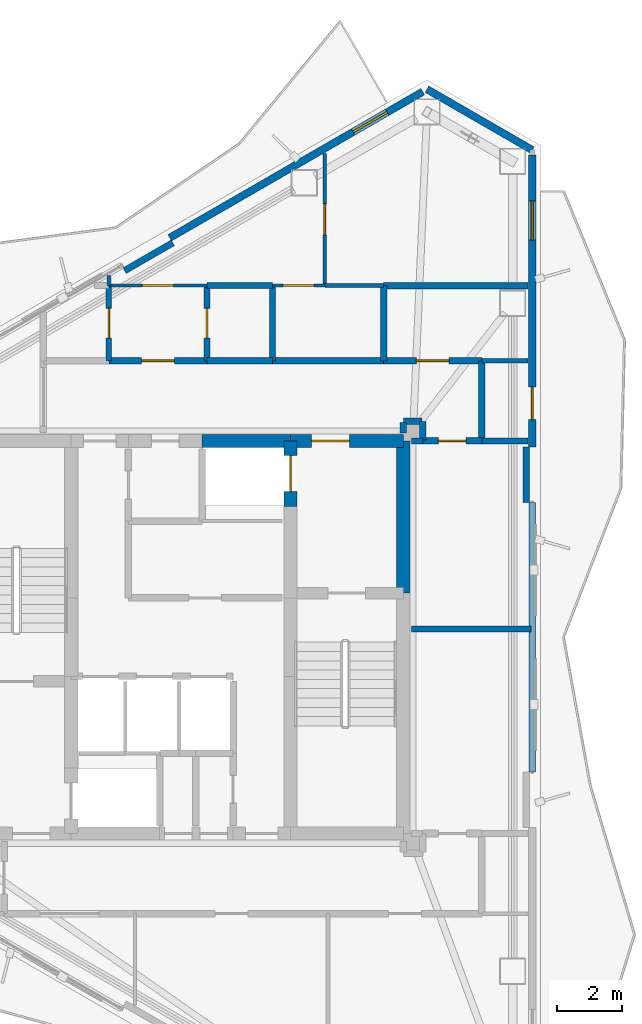
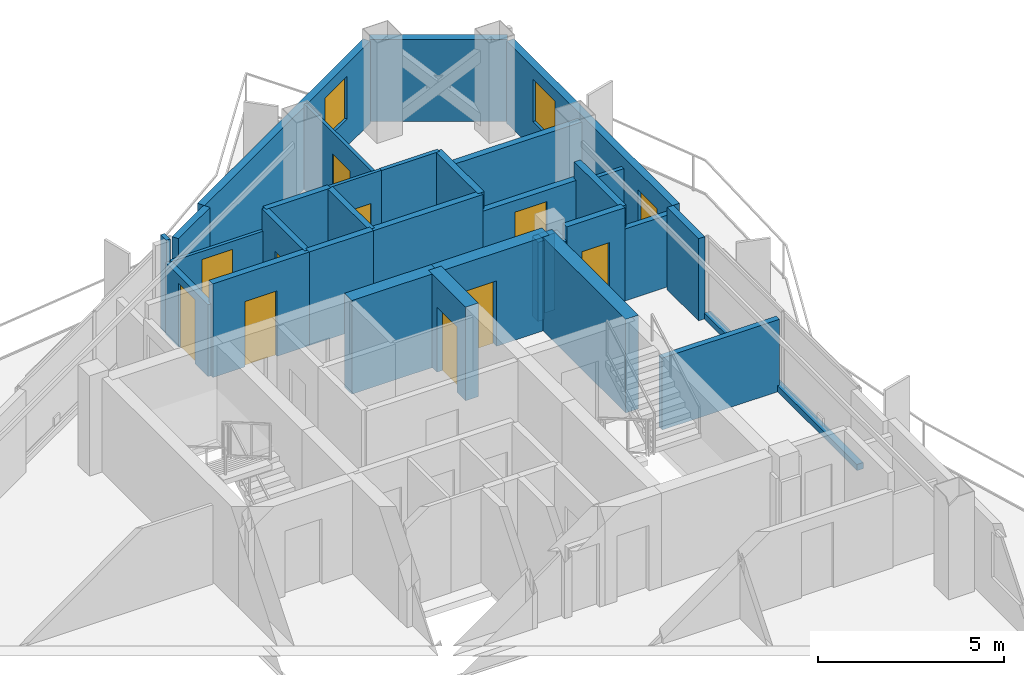
# One storey, part 16 of 18: 34 walls, 11 doors, 2 windows, 13 openings.
"""IFC4 building model written with IfcOpenShell, lengths in metres."""

from ifc_helpers import new_model, si_unit, direction, frame, frame_2d, origin, place, context, subcontext, project, spatial, rectangle, extrude, material, layer, layer_set, type_object, element, fill, save


model = new_model("IFC4")

# Units and contexts
model_context = context("Model", 3, precision=1e-05, world=origin(), true_north=direction((0.0, 1.0)))
body_context = subcontext(model_context, "Body", "Model", "MODEL_VIEW")
ifc_project = project(units=[si_unit("LENGTHUNIT", "METRE"), si_unit("AREAUNIT", "SQUARE_METRE"), si_unit("VOLUMEUNIT", "CUBIC_METRE"), si_unit("PLANEANGLEUNIT", "RADIAN"), si_unit("MASSUNIT", "GRAM", prefix="KILO")], contexts=[model_context])

# Site, building, storey
site_placement = place(None, origin())
site = spatial("IfcSite", under=ifc_project, at=site_placement, CompositionType="ELEMENT")
building_placement = place(site_placement, origin())
building = spatial("IfcBuilding", under=site, at=building_placement, Name="Mersakhor Tower and Convention Hall", CompositionType="ELEMENT")
storey_placement = place(building_placement, frame((0.0, 0.0, 243.0)))
storey = spatial("IfcBuildingStorey", under=building, at=storey_placement, Name="L68", CompositionType="ELEMENT", Elevation=243.0)

# Wall
ifc_material_1 = material(Name="Precast concrete C40/50", Category="concrete")
ifc_layer_1 = layer(ifc_material_1, 0.22509765625)
ifc_layer_set_1 = layer_set([ifc_layer_1], Name="Precast concrete C40/50")
wall_type_1 = type_object("IfcWallType", Name="WL-EXT-225", PredefinedType="SOLIDWALL", material=ifc_layer_set_1)
wall_1_placement = place(storey_placement, frame((36.525146484375, 43.49951171875, 0.0), z_axis=(0.0, 0.0, 1.0), x_axis=(0.866038962515, -0.499976514854, 0.0)))
element("IfcWall", 1, at=wall_1_placement, inside=storey, type_object=wall_type_1, Name="L68 Chamfer Braced Spandrel Wall C1", PredefinedType="SOLIDWALL", context=body_context, shape_type="SweptSolid", body=[
    extrude(rectangle(XDim=3.715576171875, YDim=0.22509765625, at=frame_2d((1.85791015625, 0.0))), origin(), (0.0, 0.0, 1.0), 2.699951171875),
])

# Wall, opening, window
wall_2_placement = place(storey_placement, frame((28.66357421875, 38.96044921875, 0.0), z_axis=(0.0, 0.0, 1.0), x_axis=(0.866026655105, 0.499997832642, 0.0)))
wall_2 = element("IfcWall", 2, at=wall_2_placement, inside=storey, type_object=wall_type_1, Name="L68 Exterior Facade Wall F1-B3", PredefinedType="SOLIDWALL", context=body_context, shape_type="SweptSolid", body=[
    extrude(rectangle(XDim=8.927734375, YDim=0.22509765625, at=frame_2d((4.4638671875, 0.0))), origin(), (0.0, 0.0, 1.0), 2.699951171875),
])
opening_1_placement = place(wall_2_placement, frame((6.471923828125, 0.0, 0.89990234375)))
opening_1 = element("IfcOpeningElement", 3, at=opening_1_placement, cuts=wall_2, Name="Opening W-01", PredefinedType="OPENING", context=body_context, shape_type="SweptSolid", body=[
    extrude(rectangle(XDim=1.199951171875, YDim=1.39990234375, at=frame_2d((0.60009765625, 0.699951171875))), frame((0.0, 0.12255859375, 0.0), z_axis=(0.0, -1.0, 0.0), x_axis=(1.0, 0.0, 0.0)), (0.0, 0.0, 1.0), 0.2451171875),
])
ifc_material_2 = material(Name="Dark solar low-E glazed aluminium window", Category="aluminium")
window_type = type_object("IfcWindowType", Name="WN-RES-120x150", PartitioningType="SINGLE_PANEL", PredefinedType="WINDOW", material=ifc_material_2)
window_1_placement = place(opening_1_placement, origin())
window_1 = element("IfcWindow", 4, at=window_1_placement, inside=storey, type_object=window_type, Name="L68 Bedroom Facade Window F1-B3-1", OverallHeight=1.39990234375, OverallWidth=1.199951171875, PartitioningType="SINGLE_PANEL", PredefinedType="WINDOW", context=body_context, shape_type="SweptSolid", body=[
    extrude(rectangle(XDim=1.199951171875, YDim=1.39990234375, at=frame_2d((0.60009765625, 0.699951171875))), frame((0.0, 0.030029296875, 0.0), z_axis=(0.0, -1.0, 0.0), x_axis=(1.0, 0.0, 0.0)), (0.0, 0.0, 1.0), 0.06005859375),
])
fill(opening_1, window_1)

# Wall, openings, door, window
wall_3_placement = place(storey_placement, frame((39.742919921875, 41.49169921875, 0.0), z_axis=(0.0, 0.0, 1.0), x_axis=(0.0, -1.0, 0.0)))
wall_3 = element("IfcWall", 5, at=wall_3_placement, inside=storey, type_object=wall_type_1, Name="L68 Exterior Facade Wall F2-B1", PredefinedType="SOLIDWALL", context=body_context, shape_type="SweptSolid", body=[
    extrude(rectangle(XDim=8.927734375, YDim=0.22509765625, at=frame_2d((4.4638671875, 0.0))), origin(), (0.0, 0.0, 1.0), 2.699951171875),
])
opening_2_placement = place(wall_3_placement, frame((7.090087890625, 0.0, 0.0)))
opening_2 = element("IfcOpeningElement", 6, at=opening_2_placement, cuts=wall_3, Name="Opening BD-01", PredefinedType="OPENING", context=body_context, shape_type="SweptSolid", body=[
    extrude(rectangle(XDim=1.0, YDim=2.10009765625, at=frame_2d((0.5, 1.050048828125))), frame((0.0, 0.12255859375, 0.0), z_axis=(0.0, -1.0, 0.0), x_axis=(1.0, 0.0, 0.0)), (0.0, 0.0, 1.0), 0.2451171875),
])
opening_3_placement = place(wall_3_placement, frame((1.406005859375, 0.0, 0.89990234375)))
opening_3 = element("IfcOpeningElement", 7, at=opening_3_placement, cuts=wall_3, Name="Opening W-01", PredefinedType="OPENING", context=body_context, shape_type="SweptSolid", body=[
    extrude(rectangle(XDim=1.199951171875, YDim=1.39990234375, at=frame_2d((0.60009765625, 0.699951171875))), frame((0.0, 0.12255859375, 0.0), z_axis=(0.0, -1.0, 0.0), x_axis=(1.0, 0.0, 0.0)), (0.0, 0.0, 1.0), 0.2451171875),
])
ifc_material_3 = material(Name="Thermally broken dark aluminium and safety glass", Category="aluminium")
door_type_1 = type_object("IfcDoorType", Name="DR-BAL-100x210", OperationType="NOTDEFINED", PredefinedType="DOOR", material=ifc_material_3)
door_1_placement = place(opening_2_placement, origin())
door_1 = element("IfcDoor", 8, at=door_1_placement, inside=storey, type_object=door_type_1, Name="L68 Balcony Terrace Door F2-B1", OperationType="SINGLE_SWING_LEFT", OverallHeight=2.10009765625, OverallWidth=1.0, PredefinedType="DOOR", context=body_context, shape_type="SweptSolid", body=[
    extrude(rectangle(XDim=1.0, YDim=2.10009765625, at=frame_2d((0.5, 1.050048828125))), frame((0.0, 0.02490234375, 0.0), z_axis=(0.0, -1.0, 0.0), x_axis=(1.0, 0.0, 0.0)), (0.0, 0.0, 1.0), 0.050048828125),
])
fill(opening_2, door_1)
window_2_placement = place(opening_3_placement, origin())
window_2 = element("IfcWindow", 9, at=window_2_placement, inside=storey, type_object=window_type, Name="L68 Bedroom Facade Window F2-B1-1", OverallHeight=1.39990234375, OverallWidth=1.199951171875, PartitioningType="SINGLE_PANEL", PredefinedType="WINDOW", context=body_context, shape_type="SweptSolid", body=[
    extrude(rectangle(XDim=1.199951171875, YDim=1.39990234375, at=frame_2d((0.60009765625, 0.699951171875))), frame((0.0, 0.030029296875, 0.0), z_axis=(0.0, -1.0, 0.0), x_axis=(1.0, 0.0, 0.0)), (0.0, 0.0, 1.0), 0.06005859375),
])
fill(opening_3, window_2)

# Walls
ifc_material_4 = material(Name="Precast concrete C40/50", Category="concrete")
ifc_layer_2 = layer(ifc_material_4, 0.199951171875)
ifc_layer_set_2 = layer_set([ifc_layer_2], Name="Precast concrete C40/50")
wall_type_2 = type_object("IfcWallType", Name="WL-PAR-200", PredefinedType="PARAPET", material=ifc_layer_set_2)
wall_4_placement = place(storey_placement, frame((27.28125, 37.95458984375, 0.0), z_axis=(0.0, 0.0, 1.0), x_axis=(0.866025371046, 0.500000056704, 0.0)))
element("IfcWall", 10, at=wall_4_placement, inside=storey, type_object=wall_type_2, Name="L68 Column Pier Cladding Wall F1-C2", PredefinedType="PARAPET", context=body_context, shape_type="SweptSolid", body=[
    extrude(rectangle(XDim=1.7001953125, YDim=0.199951171875, at=frame_2d((0.85009765625, 0.0))), origin(), (0.0, 0.0, 1.0), 2.699951171875),
])
wall_5_placement = place(storey_placement, frame((39.742919921875, 30.864013671875, 0.0), z_axis=(0.0, 0.0, 1.0), x_axis=(0.0, -1.0, 0.0)))
element("IfcWall", 11, at=wall_5_placement, inside=storey, type_object=wall_type_2, Name="L68 Curtain Wall Upstand Sill F2-B2", PredefinedType="PARAPET", context=body_context, shape_type="SweptSolid", body=[
    extrude(rectangle(XDim=8.22802734375, YDim=0.199951171875, at=frame_2d((4.114013671875, 0.0))), origin(), (0.0, 0.0, 1.0), 0.199951171875),
])
wall_6_placement = place(storey_placement, frame((39.562744140625, 32.56396484375, 0.0), z_axis=(0.0, 0.0, 1.0), x_axis=(0.0, -1.0, 0.0)))
element("IfcWall", 12, at=wall_6_placement, inside=storey, type_object=wall_type_2, Name="L68 Column Pier Cladding Wall F2-C1", PredefinedType="PARAPET", context=body_context, shape_type="SweptSolid", body=[
    extrude(rectangle(XDim=1.699951171875, YDim=0.199951171875, at=frame_2d((0.85009765625, 0.0))), origin(), (0.0, 0.0, 1.0), 2.699951171875),
])

# Wall, opening, door
ifc_material_5 = material(Name="Moisture-resistant acoustic drywall studwork", Category="other")
ifc_layer_3 = layer(ifc_material_5, 0.175048828125)
ifc_layer_set_3 = layer_set([ifc_layer_3], Name="Moisture-resistant acoustic drywall studwork")
wall_type_3 = type_object("IfcWallType", Name="WL-PLM-175", PredefinedType="PLUMBINGWALL", material=ifc_layer_set_3)
wall_7_placement = place(storey_placement, frame((29.800048828125, 37.5, 0.0), z_axis=(0.0, 0.0, 1.0), x_axis=(0.0, -1.0, 0.0)))
wall_7 = element("IfcWall", 13, at=wall_7_placement, inside=storey, type_object=wall_type_3, Name="L68 Interior Partition Wall P-037", PredefinedType="PLUMBINGWALL", context=body_context, shape_type="SweptSolid", body=[
    extrude(rectangle(XDim=2.300048828125, YDim=0.175048828125, at=frame_2d((1.14990234375, 0.0))), origin(), (0.0, 0.0, 1.0), 3.080078125),
])
opening_4_placement = place(wall_7_placement, frame((0.699951171875, 0.0, 0.0)))
opening_4 = element("IfcOpeningElement", 14, at=opening_4_placement, cuts=wall_7, Name="Opening WD-01", PredefinedType="OPENING", context=body_context, shape_type="SweptSolid", body=[
    extrude(rectangle(XDim=0.89990234375, YDim=2.10009765625, at=frame_2d((0.449951171875, 1.050048828125))), frame((0.0, 0.097412109375, 0.0), z_axis=(0.0, -1.0, 0.0), x_axis=(1.0, 0.0, 0.0)), (0.0, 0.0, 1.0), 0.195068359375),
])
ifc_material_6 = material(Name="Solid-core hardwood leaf in painted steel frame", Category="steel")
door_type_2 = type_object("IfcDoorType", Name="DR-INT-WET-090x210", OperationType="NOTDEFINED", PredefinedType="DOOR", material=ifc_material_6)
door_2_placement = place(opening_4_placement, origin())
door_2 = element("IfcDoor", 15, at=door_2_placement, inside=storey, type_object=door_type_2, Name="L68 L68 Flat N1 Apartment Hall to L68 Flat N1 En-Suite Shower Room Door", OperationType="SINGLE_SWING_RIGHT", OverallHeight=2.10009765625, OverallWidth=0.89990234375, PredefinedType="DOOR", context=body_context, shape_type="SweptSolid", body=[
    extrude(rectangle(XDim=0.89990234375, YDim=2.10009765625, at=frame_2d((0.449951171875, 1.050048828125))), frame((0.0, 0.02490234375, 0.0), z_axis=(0.0, -1.0, 0.0), x_axis=(1.0, 0.0, 0.0)), (0.0, 0.0, 1.0), 0.050048828125),
])
fill(opening_4, door_2)

wall_8_placement = place(storey_placement, frame((26.800048828125, 35.199951171875, 0.0), z_axis=(0.0, 0.0, 1.0), x_axis=(0.0, 1.0, 0.0)))
wall_8 = element("IfcWall", 16, at=wall_8_placement, inside=storey, type_object=wall_type_3, Name="L68 Interior Partition Wall P-038", PredefinedType="PLUMBINGWALL", context=body_context, shape_type="SweptSolid", body=[
    extrude(rectangle(XDim=2.300048828125, YDim=0.175048828125, at=frame_2d((1.14990234375, 0.0))), origin(), (0.0, 0.0, 1.0), 2.364990234375),
])
opening_5_placement = place(wall_8_placement, frame((0.699951171875, 0.0, 0.0)))
opening_5 = element("IfcOpeningElement", 17, at=opening_5_placement, cuts=wall_8, Name="Opening WD-01", PredefinedType="OPENING", context=body_context, shape_type="SweptSolid", body=[
    extrude(rectangle(XDim=0.89990234375, YDim=2.10009765625, at=frame_2d((0.449951171875, 1.050048828125))), frame((0.0, 0.097412109375, 0.0), z_axis=(0.0, -1.0, 0.0), x_axis=(1.0, 0.0, 0.0)), (0.0, 0.0, 1.0), 0.195068359375),
])
door_3_placement = place(opening_5_placement, origin())
door_3 = element("IfcDoor", 18, at=door_3_placement, inside=storey, type_object=door_type_2, Name="L68 L68 Flat N1 Apartment Hall to L68 Flat N1 Bathroom Door", OperationType="SINGLE_SWING_LEFT", OverallHeight=2.10009765625, OverallWidth=0.89990234375, PredefinedType="DOOR", context=body_context, shape_type="SweptSolid", body=[
    extrude(rectangle(XDim=0.89990234375, YDim=2.10009765625, at=frame_2d((0.449951171875, 1.050048828125))), frame((0.0, 0.02490234375, 0.0), z_axis=(0.0, -1.0, 0.0), x_axis=(1.0, 0.0, 0.0)), (0.0, 0.0, 1.0), 0.050048828125),
])
fill(opening_5, door_3)

# Walls
wall_9_placement = place(storey_placement, frame((36.050048828125, 32.75, 0.0), z_axis=(0.0, 0.0, 1.0), x_axis=(1.0, 0.0, 0.0)))
element("IfcWall", 19, at=wall_9_placement, inside=storey, type_object=wall_type_3, Name="L68 Interior Partition Wall P-039", PredefinedType="PLUMBINGWALL", context=body_context, shape_type="SweptSolid", body=[
    extrude(rectangle(XDim=0.349853515625, YDim=0.175048828125, at=frame_2d((0.1748046875, 0.0))), origin(), (0.0, 0.0, 1.0), 2.60498046875),
])
wall_10_placement = place(storey_placement, frame((38.199951171875, 32.75, 0.0), z_axis=(0.0, 0.0, 1.0), x_axis=(1.0, 0.0, 0.0)))
element("IfcWall", 20, at=wall_10_placement, inside=storey, type_object=wall_type_3, Name="L68 Interior Partition Wall P-040", PredefinedType="PLUMBINGWALL", context=body_context, shape_type="SweptSolid", body=[
    extrude(rectangle(XDim=1.40625, YDim=0.175048828125, at=frame_2d((0.703125, 0.0))), origin(), (0.0, 0.0, 1.0), 2.364990234375),
])
wall_11_placement = place(storey_placement, frame((39.702880859375, 27.0, 0.0), z_axis=(0.0, 0.0, 1.0), x_axis=(-1.0, 0.0, 0.0)))
element("IfcWall", 21, at=wall_11_placement, inside=storey, type_object=wall_type_3, Name="L68 Interior Partition Wall P-041", PredefinedType="PLUMBINGWALL", context=body_context, shape_type="SweptSolid", body=[
    extrude(rectangle(XDim=3.65283203125, YDim=0.175048828125, at=frame_2d((1.826416015625, 0.0))), origin(), (0.0, 0.0, 1.0), 2.364990234375),
])
wall_12_placement = place(storey_placement, frame((29.800048828125, 37.5, 0.0), z_axis=(0.0, 0.0, 1.0), x_axis=(1.0, 0.0, 0.0)))
element("IfcWall", 22, at=wall_12_placement, inside=storey, type_object=wall_type_3, Name="L68 Interior Partition Wall P-046", PredefinedType="PLUMBINGWALL", context=body_context, shape_type="SweptSolid", body=[
    extrude(rectangle(XDim=2.0, YDim=0.175048828125, at=frame_2d((1.0, 0.0))), origin(), (0.0, 0.0, 1.0), 3.080078125),
])
wall_13_placement = place(storey_placement, frame((31.800048828125, 37.5, 0.0), z_axis=(0.0, 0.0, 1.0), x_axis=(0.0, -1.0, 0.0)))
element("IfcWall", 23, at=wall_13_placement, inside=storey, type_object=wall_type_3, Name="L68 Interior Partition Wall P-047", PredefinedType="PLUMBINGWALL", context=body_context, shape_type="SweptSolid", body=[
    extrude(rectangle(XDim=2.300048828125, YDim=0.175048828125, at=frame_2d((1.14990234375, 0.0))), origin(), (0.0, 0.0, 1.0), 3.080078125),
])

# Wall, opening, door
ifc_material_7 = material(Name="Lightweight gypsum partition", Category="other")
ifc_layer_4 = layer(ifc_material_7, 0.10009765625)
ifc_layer_set_4 = layer_set([ifc_layer_4], Name="Lightweight gypsum partition")
wall_type_4 = type_object("IfcWallType", Name="WL-PRT-100", PredefinedType="PARTITIONING", material=ifc_layer_set_4)
wall_14_placement = place(storey_placement, frame((26.800048828125, 37.5, 0.0), z_axis=(0.0, 0.0, 1.0), x_axis=(1.0, 0.0, 0.0)))
wall_14 = element("IfcWall", 24, at=wall_14_placement, inside=storey, type_object=wall_type_4, Name="L68 Interior Partition Wall P-036", PredefinedType="PARTITIONING", context=body_context, shape_type="SweptSolid", body=[
    extrude(rectangle(XDim=3.0, YDim=0.10009765625, at=frame_2d((1.5, 0.0))), origin(), (0.0, 0.0, 1.0), 2.364990234375),
])
opening_6_placement = place(wall_14_placement, frame((1.02490234375, 0.0, 0.0)))
opening_6 = element("IfcOpeningElement", 25, at=opening_6_placement, cuts=wall_14, Name="Opening RD-01", PredefinedType="OPENING", context=body_context, shape_type="SweptSolid", body=[
    extrude(rectangle(XDim=0.949951171875, YDim=2.10009765625, at=frame_2d((0.47509765625, 1.050048828125))), frame((0.0, 0.06005859375, 0.0), z_axis=(0.0, -1.0, 0.0), x_axis=(1.0, 0.0, 0.0)), (0.0, 0.0, 1.0), 0.1201171875),
])
ifc_material_8 = material(Name="Solid-core hardwood leaf in painted steel frame", Category="steel")
door_type_3 = type_object("IfcDoorType", Name="DR-INT-RM-095x210", OperationType="NOTDEFINED", PredefinedType="DOOR", material=ifc_material_8)
door_4_placement = place(opening_6_placement, origin())
door_4 = element("IfcDoor", 26, at=door_4_placement, inside=storey, type_object=door_type_3, Name="L68 L68 Flat N1 Apartment Hall to L68 Flat N1 Living and Dining Room Door", OperationType="SINGLE_SWING_LEFT", OverallHeight=2.10009765625, OverallWidth=0.949951171875, PredefinedType="DOOR", context=body_context, shape_type="SweptSolid", body=[
    extrude(rectangle(XDim=0.949951171875, YDim=2.10009765625, at=frame_2d((0.47509765625, 1.050048828125))), frame((0.0, 0.02490234375, 0.0), z_axis=(0.0, -1.0, 0.0), x_axis=(1.0, 0.0, 0.0)), (0.0, 0.0, 1.0), 0.050048828125),
])
fill(opening_6, door_4)

wall_15_placement = place(storey_placement, frame((31.800048828125, 37.5, 0.0), z_axis=(0.0, 0.0, 1.0), x_axis=(1.0, 0.0, 0.0)))
wall_15 = element("IfcWall", 27, at=wall_15_placement, inside=storey, type_object=wall_type_4, Name="L68 Interior Partition Wall P-048", PredefinedType="PARTITIONING", context=body_context, shape_type="SweptSolid", body=[
    extrude(rectangle(XDim=1.599853515625, YDim=0.10009765625, at=frame_2d((0.7998046875, 0.0))), origin(), (0.0, 0.0, 1.0), 3.080078125),
])
opening_7_placement = place(wall_15_placement, frame((0.324951171875, 0.0, 0.0)))
opening_7 = element("IfcOpeningElement", 28, at=opening_7_placement, cuts=wall_15, Name="Opening RD-01", PredefinedType="OPENING", context=body_context, shape_type="SweptSolid", body=[
    extrude(rectangle(XDim=0.949951171875, YDim=2.10009765625, at=frame_2d((0.47509765625, 1.050048828125))), frame((0.0, 0.06005859375, 0.0), z_axis=(0.0, -1.0, 0.0), x_axis=(1.0, 0.0, 0.0)), (0.0, 0.0, 1.0), 0.1201171875),
])
door_5_placement = place(opening_7_placement, origin())
door_5 = element("IfcDoor", 29, at=door_5_placement, inside=storey, type_object=door_type_3, Name="L68 L68 Flat N1 Kitchen to L68 Flat N1 Living and Dining Room Door", OperationType="SINGLE_SWING_RIGHT", OverallHeight=2.10009765625, OverallWidth=0.949951171875, PredefinedType="DOOR", context=body_context, shape_type="SweptSolid", body=[
    extrude(rectangle(XDim=0.949951171875, YDim=2.10009765625, at=frame_2d((0.47509765625, 1.050048828125))), frame((0.0, 0.02490234375, 0.0), z_axis=(0.0, -1.0, 0.0), x_axis=(1.0, 0.0, 0.0)), (0.0, 0.0, 1.0), 0.050048828125),
])
fill(opening_7, door_5)

wall_16_placement = place(storey_placement, frame((33.39990234375, 41.537353515625, 0.0), z_axis=(0.0, 0.0, 1.0), x_axis=(0.0, -1.0, 0.0)))
wall_16 = element("IfcWall", 30, at=wall_16_placement, inside=storey, type_object=wall_type_4, Name="L68 Interior Partition Wall P-064", PredefinedType="PARTITIONING", context=body_context, shape_type="SweptSolid", body=[
    extrude(rectangle(XDim=4.037353515625, YDim=0.10009765625, at=frame_2d((2.0185546875, 0.0))), origin(), (0.0, 0.0, 1.0), 2.8046875),
])
opening_8_placement = place(wall_16_placement, frame((1.543701171875, 0.0, 0.0)))
opening_8 = element("IfcOpeningElement", 31, at=opening_8_placement, cuts=wall_16, Name="Opening RD-01", PredefinedType="OPENING", context=body_context, shape_type="SweptSolid", body=[
    extrude(rectangle(XDim=0.949951171875, YDim=2.10009765625, at=frame_2d((0.47509765625, 1.050048828125))), frame((0.0, 0.06005859375, 0.0), z_axis=(0.0, -1.0, 0.0), x_axis=(1.0, 0.0, 0.0)), (0.0, 0.0, 1.0), 0.1201171875),
])
door_6_placement = place(opening_8_placement, origin())
door_6 = element("IfcDoor", 32, at=door_6_placement, inside=storey, type_object=door_type_3, Name="L68 L68 Flat N1 Living and Dining Room to L68 Flat N1 Master Bedroom Door", OperationType="SINGLE_SWING_LEFT", OverallHeight=2.10009765625, OverallWidth=0.949951171875, PredefinedType="DOOR", context=body_context, shape_type="SweptSolid", body=[
    extrude(rectangle(XDim=0.949951171875, YDim=2.10009765625, at=frame_2d((0.47509765625, 1.050048828125))), frame((0.0, 0.02490234375, 0.0), z_axis=(0.0, -1.0, 0.0), x_axis=(1.0, 0.0, 0.0)), (0.0, 0.0, 1.0), 0.050048828125),
])
fill(opening_8, door_6)

# Walls
ifc_material_9 = material(Name="Gypsum board acoustic partition", Category="other")
ifc_layer_5 = layer(ifc_material_9, 0.125)
ifc_layer_set_5 = layer_set([ifc_layer_5], Name="Gypsum board acoustic partition")
wall_type_5 = type_object("IfcWallType", Name="WL-PRT-125", PredefinedType="PARTITIONING", material=ifc_layer_set_5)
wall_17_placement = place(storey_placement, frame((33.39990234375, 37.5, 0.0), z_axis=(0.0, 0.0, 1.0), x_axis=(1.0, 0.0, 0.0)))
element("IfcWall", 33, at=wall_17_placement, inside=storey, type_object=wall_type_5, Name="L68 Interior Partition Wall P-049", PredefinedType="PARTITIONING", context=body_context, shape_type="SweptSolid", body=[
    extrude(rectangle(XDim=1.800048828125, YDim=0.125, at=frame_2d((0.89990234375, 0.0))), origin(), (0.0, 0.0, 1.0), 3.080078125),
])
wall_18_placement = place(storey_placement, frame((39.606201171875, 35.199951171875, 0.0), z_axis=(0.0, 0.0, 1.0), x_axis=(-1.0, 0.0, 0.0)))
element("IfcWall", 34, at=wall_18_placement, inside=storey, type_object=wall_type_5, Name="L68 Interior Partition Wall P-053", PredefinedType="PARTITIONING", context=body_context, shape_type="SweptSolid", body=[
    extrude(rectangle(XDim=1.40625, YDim=0.125, at=frame_2d((0.703125, 0.0))), origin(), (0.0, 0.0, 1.0), 2.364990234375),
])
wall_19_placement = place(storey_placement, frame((26.800048828125, 37.5, 0.0), z_axis=(0.0, 0.0, 1.0), x_axis=(0.0, 1.0, 0.0)))
element("IfcWall", 35, at=wall_19_placement, inside=storey, type_object=wall_type_5, Name="L68 Interior Partition Wall P-063", PredefinedType="PARTITIONING", context=body_context, shape_type="SweptSolid", body=[
    extrude(rectangle(XDim=0.308349609375, YDim=0.125, at=frame_2d((0.154296875, 0.0))), origin(), (0.0, 0.0, 1.0), 3.080078125),
])

# Wall, opening, door
ifc_material_10 = material(Name="Acoustic concrete blockwork and gypsum board", Category="masonry")
ifc_layer_6 = layer(ifc_material_10, 0.199951171875)
ifc_layer_set_6 = layer_set([ifc_layer_6], Name="Acoustic concrete blockwork and gypsum board")
wall_type_6 = type_object("IfcWallType", Name="WL-PRT-200", PredefinedType="PARTITIONING", material=ifc_layer_set_6)
wall_20_placement = place(storey_placement, frame((26.800048828125, 35.199951171875, 0.0), z_axis=(0.0, 0.0, 1.0), x_axis=(1.0, 0.0, 0.0)))
wall_20 = element("IfcWall", 36, at=wall_20_placement, inside=storey, type_object=wall_type_6, Name="L68 Interior Partition Wall P-017", PredefinedType="PARTITIONING", context=body_context, shape_type="SweptSolid", body=[
    extrude(rectangle(XDim=3.0, YDim=0.199951171875, at=frame_2d((1.5, 0.0))), origin(), (0.0, 0.0, 1.0), 3.080078125),
])
opening_9_placement = place(wall_20_placement, frame((1.0, 0.0, 0.0)))
opening_9 = element("IfcOpeningElement", 37, at=opening_9_placement, cuts=wall_20, Name="Opening FD-01", PredefinedType="OPENING", context=body_context, shape_type="SweptSolid", body=[
    extrude(rectangle(XDim=1.0, YDim=2.14990234375, at=frame_2d((0.5, 1.074951171875))), frame((0.0, 0.10986328125, 0.0), z_axis=(0.0, -1.0, 0.0), x_axis=(1.0, 0.0, 0.0)), (0.0, 0.0, 1.0), 0.219970703125),
])
ifc_material_11 = material(Name="Fire-rated hardwood leaf and painted steel frame", Category="steel")
door_type_4 = type_object("IfcDoorType", Name="DR-INT-FLT-100x215", OperationType="NOTDEFINED", PredefinedType="DOOR", material=ifc_material_11)
door_7_placement = place(opening_9_placement, origin())
door_7 = element("IfcDoor", 38, at=door_7_placement, inside=storey, type_object=door_type_4, Name="L68 Apartment Entrance Door (Residential North Gallery Corridor to L68 Flat N1 Apartment Hall)", OperationType="SINGLE_SWING_LEFT", OverallHeight=2.14990234375, OverallWidth=1.0, PredefinedType="DOOR", context=body_context, shape_type="SweptSolid", body=[
    extrude(rectangle(XDim=1.0, YDim=2.14990234375, at=frame_2d((0.5, 1.074951171875))), frame((0.0, 0.02490234375, 0.0), z_axis=(0.0, -1.0, 0.0), x_axis=(1.0, 0.0, 0.0)), (0.0, 0.0, 1.0), 0.050048828125),
])
fill(opening_9, door_7)

# Walls
wall_21_placement = place(storey_placement, frame((29.800048828125, 35.199951171875, 0.0), z_axis=(0.0, 0.0, 1.0), x_axis=(1.0, 0.0, 0.0)))
element("IfcWall", 39, at=wall_21_placement, inside=storey, type_object=wall_type_6, Name="L68 Interior Partition Wall P-018", PredefinedType="PARTITIONING", context=body_context, shape_type="SweptSolid", body=[
    extrude(rectangle(XDim=2.0, YDim=0.199951171875, at=frame_2d((1.0, 0.0))), origin(), (0.0, 0.0, 1.0), 3.080078125),
])
wall_22_placement = place(storey_placement, frame((31.800048828125, 35.199951171875, 0.0), z_axis=(0.0, 0.0, 1.0), x_axis=(1.0, 0.0, 0.0)))
element("IfcWall", 40, at=wall_22_placement, inside=storey, type_object=wall_type_6, Name="L68 Interior Partition Wall P-019", PredefinedType="PARTITIONING", context=body_context, shape_type="SweptSolid", body=[
    extrude(rectangle(XDim=3.39990234375, YDim=0.199951171875, at=frame_2d((1.699951171875, 0.0))), origin(), (0.0, 0.0, 1.0), 3.080078125),
])

# Wall, opening, door
wall_23_placement = place(storey_placement, frame((35.199951171875, 35.199951171875, 0.0), z_axis=(0.0, 0.0, 1.0), x_axis=(1.0, 0.0, 0.0)))
wall_23 = element("IfcWall", 41, at=wall_23_placement, inside=storey, type_object=wall_type_6, Name="L68 Interior Partition Wall P-020", PredefinedType="PARTITIONING", context=body_context, shape_type="SweptSolid", body=[
    extrude(rectangle(XDim=3.0, YDim=0.199951171875, at=frame_2d((1.5, 0.0))), origin(), (0.0, 0.0, 1.0), 2.5283203125),
])
opening_10_placement = place(wall_23_placement, frame((1.0, 0.0, 0.0)))
opening_10 = element("IfcOpeningElement", 42, at=opening_10_placement, cuts=wall_23, Name="Opening FD-01", PredefinedType="OPENING", context=body_context, shape_type="SweptSolid", body=[
    extrude(rectangle(XDim=1.0, YDim=2.14990234375, at=frame_2d((0.5, 1.074951171875))), frame((0.0, 0.10986328125, 0.0), z_axis=(0.0, -1.0, 0.0), x_axis=(1.0, 0.0, 0.0)), (0.0, 0.0, 1.0), 0.219970703125),
])
door_8_placement = place(opening_10_placement, origin())
door_8 = element("IfcDoor", 43, at=door_8_placement, inside=storey, type_object=door_type_4, Name="L68 Residential North Gallery Corridor to L68 North-East Shared Tea Pantry Door", OperationType="SINGLE_SWING_RIGHT", OverallHeight=2.14990234375, OverallWidth=1.0, PredefinedType="DOOR", context=body_context, shape_type="SweptSolid", body=[
    extrude(rectangle(XDim=1.0, YDim=2.14990234375, at=frame_2d((0.5, 1.074951171875))), frame((0.0, 0.02490234375, 0.0), z_axis=(0.0, -1.0, 0.0), x_axis=(1.0, 0.0, 0.0)), (0.0, 0.0, 1.0), 0.050048828125),
])
fill(opening_10, door_8)

# Wall
wall_24_placement = place(storey_placement, frame((38.199951171875, 35.199951171875, 0.0), z_axis=(0.0, 0.0, 1.0), x_axis=(0.0, -1.0, 0.0)))
element("IfcWall", 44, at=wall_24_placement, inside=storey, type_object=wall_type_6, Name="L68 Interior Partition Wall P-021", PredefinedType="PARTITIONING", context=body_context, shape_type="SweptSolid", body=[
    extrude(rectangle(XDim=2.449951171875, YDim=0.199951171875, at=frame_2d((1.22509765625, 0.0))), origin(), (0.0, 0.0, 1.0), 3.080078125),
])

# Wall, opening, door
wall_25_placement = place(storey_placement, frame((38.199951171875, 32.75, 0.0), z_axis=(0.0, 0.0, 1.0), x_axis=(-1.0, 0.0, 0.0)))
wall_25 = element("IfcWall", 45, at=wall_25_placement, inside=storey, type_object=wall_type_6, Name="L68 Interior Partition Wall P-022", PredefinedType="PARTITIONING", context=body_context, shape_type="SweptSolid", body=[
    extrude(rectangle(XDim=1.800048828125, YDim=0.199951171875, at=frame_2d((0.89990234375, 0.0))), origin(), (0.0, 0.0, 1.0), 3.080078125),
])
opening_11_placement = place(wall_25_placement, frame((0.47509765625, 0.0, 0.0)))
opening_11 = element("IfcOpeningElement", 46, at=opening_11_placement, cuts=wall_25, Name="Opening SVD-01", PredefinedType="OPENING", context=body_context, shape_type="SweptSolid", body=[
    extrude(rectangle(XDim=0.85009765625, YDim=2.10009765625, at=frame_2d((0.425048828125, 1.050048828125))), frame((0.0, 0.10986328125, 0.0), z_axis=(0.0, -1.0, 0.0), x_axis=(1.0, 0.0, 0.0)), (0.0, 0.0, 1.0), 0.219970703125),
])
ifc_material_12 = material(Name="Fire-rated hardwood leaf and painted steel frame", Category="steel")
door_type_5 = type_object("IfcDoorType", Name="DR-INT-SVC-085x210", OperationType="NOTDEFINED", PredefinedType="DOOR", material=ifc_material_12)
door_9_placement = place(opening_11_placement, origin())
door_9 = element("IfcDoor", 47, at=door_9_placement, inside=storey, type_object=door_type_5, Name="L68 Residential North Gallery Corridor to L68 East Crown Public Restroom WC Door", OperationType="SINGLE_SWING_RIGHT", OverallHeight=2.10009765625, OverallWidth=0.85009765625, PredefinedType="DOOR", context=body_context, shape_type="SweptSolid", body=[
    extrude(rectangle(XDim=0.85009765625, YDim=2.10009765625, at=frame_2d((0.425048828125, 1.050048828125))), frame((0.0, 0.02490234375, 0.0), z_axis=(0.0, -1.0, 0.0), x_axis=(1.0, 0.0, 0.0)), (0.0, 0.0, 1.0), 0.050048828125),
])
fill(opening_11, door_9)

# Walls
for number, where, z_axis, x_axis, name in (
    (48, (36.39990234375, 32.780029296875, 0.0), (0.0, 0.0, 1.0), (0.0, 1.0, 0.0), "L68 Interior Partition Wall P-023"),
    (49, (36.3701171875, 33.35009765625, 0.0), (0.0, 0.0, 1.0), (-1.0, 0.0, 0.0), "L68 Interior Partition Wall P-024"),
):
    element("IfcWall", number, at=place(storey_placement, frame(where, z_axis=z_axis, x_axis=x_axis)), inside=storey, type_object=wall_type_6, Name=name, PredefinedType="PARTITIONING", context=body_context, shape_type="SweptSolid", body=[
        extrude(rectangle(XDim=0.570068359375, YDim=0.199951171875, at=frame_2d((0.28515625, 0.0))), origin(), (0.0, 0.0, 1.0), 2.5283203125),
    ])
wall_26_placement = place(storey_placement, frame((35.800048828125, 33.320068359375, 0.0), z_axis=(0.0, 0.0, 1.0), x_axis=(0.0, -1.0, 0.0)))
element("IfcWall", 50, at=wall_26_placement, inside=storey, type_object=wall_type_6, Name="L68 Interior Partition Wall P-025", PredefinedType="PARTITIONING", context=body_context, shape_type="SweptSolid", body=[
    extrude(rectangle(XDim=0.320068359375, YDim=0.199951171875, at=frame_2d((0.16015625, 0.0))), origin(), (0.0, 0.0, 1.0), 2.60498046875),
])
wall_27_placement = place(storey_placement, frame((35.199951171875, 37.5, 0.0), z_axis=(0.0, 0.0, 1.0), x_axis=(0.0, -1.0, 0.0)))
element("IfcWall", 51, at=wall_27_placement, inside=storey, type_object=wall_type_6, Name="L68 Interior Partition Wall P-050", PredefinedType="PARTITIONING", context=body_context, shape_type="SweptSolid", body=[
    extrude(rectangle(XDim=2.300048828125, YDim=0.199951171875, at=frame_2d((1.14990234375, 0.0))), origin(), (0.0, 0.0, 1.0), 3.080078125),
])
wall_28_placement = place(storey_placement, frame((35.199951171875, 37.5, 0.0), z_axis=(0.0, 0.0, 1.0), x_axis=(1.0, 0.0, 0.0)))
element("IfcWall", 52, at=wall_28_placement, inside=storey, type_object=wall_type_6, Name="L68 Interior Partition Wall P-054", PredefinedType="PARTITIONING", context=body_context, shape_type="SweptSolid", body=[
    extrude(rectangle(XDim=4.40625, YDim=0.199951171875, at=frame_2d((2.203125, 0.0))), origin(), (0.0, 0.0, 1.0), 2.5283203125),
])
ifc_material_13 = material(Name="Concrete C60/75", Category="concrete")
ifc_layer_7 = layer(ifc_material_13, 0.39990234375)
ifc_layer_set_7 = layer_set([ifc_layer_7], Name="Concrete C60/75")
wall_type_7 = type_object("IfcWallType", Name="WL-SHR-400", PredefinedType="SHEAR", material=ifc_layer_set_7)
wall_29_placement = place(storey_placement, frame((29.64990234375, 32.75, 0.0), z_axis=(0.0, 0.0, 1.0), x_axis=(1.0, 0.0, 0.0)))
element("IfcWall", 53, at=wall_29_placement, inside=storey, type_object=wall_type_7, Name="L68 Core Wall CW-N3", PredefinedType="SHEAR", context=body_context, shape_type="SweptSolid", body=[
    extrude(rectangle(XDim=2.7001953125, YDim=0.39990234375, at=frame_2d((1.35009765625, 0.0))), origin(), (0.0, 0.0, 1.0), 3.080078125),
])

# Wall, opening, door
wall_30_placement = place(storey_placement, frame((32.35009765625, 32.75, 0.0), z_axis=(0.0, 0.0, 1.0), x_axis=(1.0, 0.0, 0.0)))
wall_30 = element("IfcWall", 54, at=wall_30_placement, inside=storey, type_object=wall_type_7, Name="L68 Core Wall CW-N4", PredefinedType="SHEAR", context=body_context, shape_type="SweptSolid", body=[
    extrude(rectangle(XDim=3.449951171875, YDim=0.39990234375, at=frame_2d((1.72509765625, 0.0))), origin(), (0.0, 0.0, 1.0), 3.080078125),
])
opening_12_placement = place(wall_30_placement, frame((0.64990234375, 0.0, 0.0)))
opening_12 = element("IfcOpeningElement", 55, at=opening_12_placement, cuts=wall_30, Name="Opening SD-01", PredefinedType="OPENING", context=body_context, shape_type="SweptSolid", body=[
    extrude(rectangle(XDim=1.14990234375, YDim=2.14990234375, at=frame_2d((0.574951171875, 1.074951171875))), frame((0.0, 0.2099609375, 0.0), z_axis=(0.0, -1.0, 0.0), x_axis=(1.0, 0.0, 0.0)), (0.0, 0.0, 1.0), 0.419921875),
])
ifc_material_14 = material(Name="Fire-rated hardwood leaf and painted steel frame", Category="steel")
door_type_6 = type_object("IfcDoorType", Name="DR-INT-STAIR-115x215", OperationType="NOTDEFINED", PredefinedType="DOOR", material=ifc_material_14)
door_10_placement = place(opening_12_placement, origin())
door_10 = element("IfcDoor", 56, at=door_10_placement, inside=storey, type_object=door_type_6, Name="L68 Firefighting Lobby East Fire Door", OperationType="SINGLE_SWING_RIGHT", OverallHeight=2.14990234375, OverallWidth=1.14990234375, PredefinedType="DOOR", context=body_context, shape_type="SweptSolid", body=[
    extrude(rectangle(XDim=1.14990234375, YDim=2.14990234375, at=frame_2d((0.574951171875, 1.074951171875))), frame((0.0, 0.02490234375, 0.0), z_axis=(0.0, -1.0, 0.0), x_axis=(1.0, 0.0, 0.0)), (0.0, 0.0, 1.0), 0.050048828125),
])
fill(opening_12, door_10)

# Wall
wall_31_placement = place(storey_placement, frame((35.800048828125, 32.75, 0.0), z_axis=(0.0, 0.0, 1.0), x_axis=(0.0, -1.0, 0.0)))
element("IfcWall", 57, at=wall_31_placement, inside=storey, type_object=wall_type_7, Name="L68 Core Wall CW-E1", PredefinedType="SHEAR", context=body_context, shape_type="SweptSolid", body=[
    extrude(rectangle(XDim=4.64990234375, YDim=0.39990234375, at=frame_2d((2.324951171875, 0.0))), origin(), (0.0, 0.0, 1.0), 3.080078125),
])

# Wall, opening, door
wall_32_placement = place(storey_placement, frame((32.35009765625, 30.75, 0.0), z_axis=(0.0, 0.0, 1.0), x_axis=(0.0, 1.0, 0.0)))
wall_32 = element("IfcWall", 58, at=wall_32_placement, inside=storey, type_object=wall_type_7, Name="L68 Core Wall CS-E-FFL", PredefinedType="SHEAR", context=body_context, shape_type="SweptSolid", body=[
    extrude(rectangle(XDim=2.0, YDim=0.39990234375, at=frame_2d((1.0, 0.0))), origin(), (0.0, 0.0, 1.0), 3.080078125),
])
opening_13_placement = place(wall_32_placement, frame((0.449951171875, 0.0, 0.0)))
opening_13 = element("IfcOpeningElement", 59, at=opening_13_placement, cuts=wall_32, Name="Opening LD-FFL2", PredefinedType="OPENING", context=body_context, shape_type="SweptSolid", body=[
    extrude(rectangle(XDim=1.10009765625, YDim=2.14990234375, at=frame_2d((0.550048828125, 1.074951171875))), frame((0.0, 0.2099609375, 0.0), z_axis=(0.0, -1.0, 0.0), x_axis=(1.0, 0.0, 0.0)), (0.0, 0.0, 1.0), 0.419921875),
])
ifc_material_15 = material(Name="Fire-rated brushed stainless steel sliding landing door", Category="steel")
door_type_7 = type_object("IfcDoorType", Name="DR-LIFT-SLD-110x215", OperationType="NOTDEFINED", PredefinedType="DOOR", material=ifc_material_15)
door_11_placement = place(opening_13_placement, origin())
door_11 = element("IfcDoor", 60, at=door_11_placement, inside=storey, type_object=door_type_7, Name="L68 Firefighting Lift Landing Door LD-FFL2", OperationType="SLIDING_TO_LEFT", OverallHeight=2.14990234375, OverallWidth=1.10009765625, PredefinedType="DOOR", context=body_context, shape_type="SweptSolid", body=[
    extrude(rectangle(XDim=1.10009765625, YDim=2.14990234375, at=frame_2d((0.550048828125, 1.074951171875))), frame((0.0, 0.02490234375, 0.0), z_axis=(0.0, -1.0, 0.0), x_axis=(1.0, 0.0, 0.0)), (0.0, 0.0, 1.0), 0.050048828125),
])
fill(opening_13, door_11)

save(model, "model.ifc")
